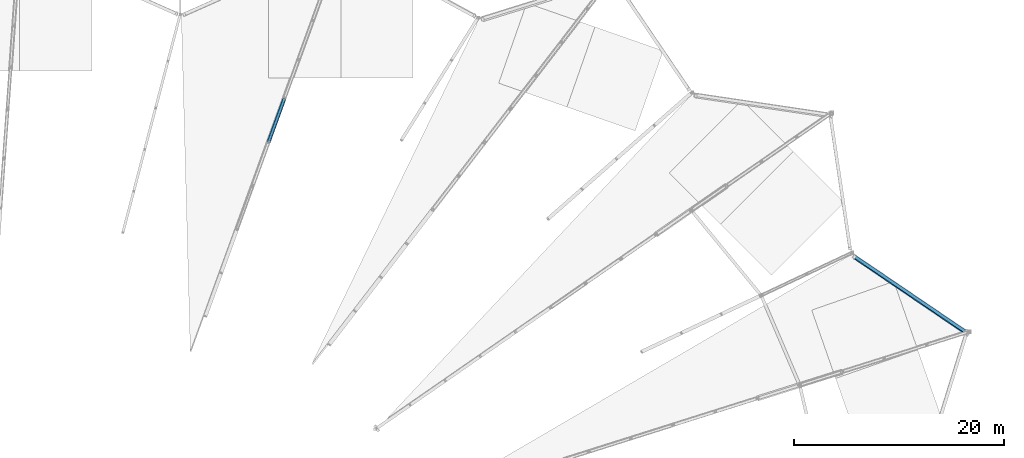
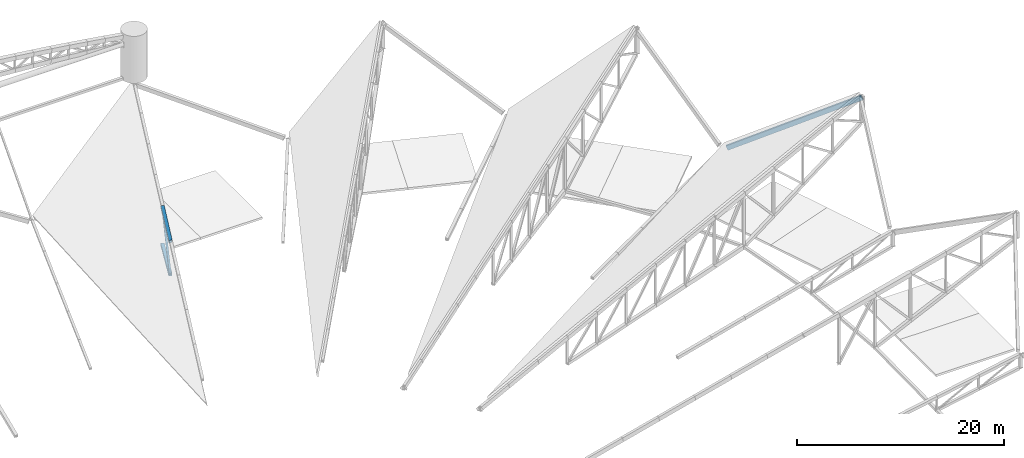
# One storey, part 105 of 188: 3 members, 1 beam.
"""IFC4 building model written with IfcOpenShell, lengths in metres."""

from ifc_helpers import new_model, si_unit, direction, frame, origin, origin_2d, place, context, subcontext, project, spatial, hollow_rectangle, extrude, material, material_profile, profile_set, type_object, element, save


model = new_model("IFC4")

# Units and contexts
model_context = context("Model", 3, precision=1e-05, world=origin(), true_north=direction((0.0, 1.0)))
body_context = subcontext(model_context, "Body", "Model", "MODEL_VIEW")
ifc_project = project(units=[si_unit("LENGTHUNIT", "METRE"), si_unit("AREAUNIT", "SQUARE_METRE"), si_unit("VOLUMEUNIT", "CUBIC_METRE"), si_unit("PLANEANGLEUNIT", "RADIAN"), si_unit("MASSUNIT", "GRAM", prefix="KILO")], contexts=[model_context])

# Site, building, storey
site_placement = place(None, origin())
site = spatial("IfcSite", under=ifc_project, at=site_placement, CompositionType="ELEMENT")
building_placement = place(site_placement, origin())
building = spatial("IfcBuilding", under=site, at=building_placement, Name="Meseta Stadium", CompositionType="ELEMENT")
storey_placement = place(building_placement, frame((0.0, 0.0, 30.0)))
storey = spatial("IfcBuildingStorey", under=building, at=storey_placement, Name="ROOF", CompositionType="ELEMENT", Elevation=30.0)

# Beam
ifc_material_1 = material(Name="Steel S355", Category="steel")
ifc_material_profile_1 = material_profile(ifc_material_1, hollow_rectangle(XDim=0.300048828125, YDim=0.5, WallThickness=0.01611328125, at=origin_2d()), Name="RHS 500x300x16")
ifc_profile_set_1 = profile_set([ifc_material_profile_1], Name="Steel S355")
beam_type = type_object("IfcBeamType", Name="RHS 500x300x16 rim ring beam", PredefinedType="BEAM", material=ifc_profile_set_1)
beam_placement = place(storey_placement, frame((98.17724609375, 68.081298828125, 10.43603515625), z_axis=(-0.738609490931, 0.501186223842, -0.450852957113), x_axis=(-0.617540271996, -0.771249126332, 0.154333397536)))
element("IfcBeam", 1, at=beam_placement, inside=storey, type_object=beam_type, Name="RIM RING BEAM 11", PredefinedType="BEAM", context=body_context, shape_type="SweptSolid", body=[
    extrude(hollow_rectangle(XDim=0.300048828125, YDim=0.5, WallThickness=0.01611328125, at=origin_2d()), origin(), (0.0, 0.0, 1.0), 14.672607421875),
])

# Members
ifc_material_2 = material(Name="Steel S355", Category="steel")
ifc_material_profile_2 = material_profile(ifc_material_2, hollow_rectangle(XDim=0.199951171875, YDim=0.199951171875, WallThickness=0.008056640625, at=origin_2d()), Name="SHS 200x200x8")
ifc_profile_set_2 = profile_set([ifc_material_profile_2], Name="Steel S355")
member_type_1 = type_object("IfcMemberType", Name="SHS 200x200x8 diagonal", PredefinedType="BRACE", material=ifc_profile_set_2)
member_1_placement = place(storey_placement, frame((31.433349609375, 86.388671875, 1.734619140625), z_axis=(0.227102632408, 0.625706654803, 0.746267764605), x_axis=(-0.939999305221, 0.341176356426, 0.0)))
element("IfcMember", 2, at=member_1_placement, inside=storey, type_object=member_type_1, Name="ROOF TRUSS RT-16 diagonal", PredefinedType="BRACE", context=body_context, shape_type="SweptSolid", body=[
    extrude(hollow_rectangle(XDim=0.199951171875, YDim=0.199951171875, WallThickness=0.008056640625, at=origin_2d()), origin(), (0.0, 0.0, 1.0), 6.65234375),
])
ifc_material_3 = material(Name="Steel S355", Category="steel")
ifc_material_profile_3 = material_profile(ifc_material_3, hollow_rectangle(XDim=0.35009765625, YDim=0.35009765625, WallThickness=0.01416015625, at=origin_2d()), Name="SHS 350x350x14.2")
ifc_profile_set_3 = profile_set([ifc_material_profile_3], Name="Steel S355")
member_type_2 = type_object("IfcMemberType", Name="SHS 350x350x14.2 bottom chord", PredefinedType="CHORD", material=ifc_profile_set_3)
member_2_placement = place(storey_placement, frame((31.433349609375, 86.388671875, 1.734619140625), z_axis=(0.338700537674, 0.933178000454, 0.120252921989), x_axis=(-0.939999305221, 0.341176356426, 0.0)))
element("IfcMember", 3, at=member_2_placement, inside=storey, type_object=member_type_2, Name="ROOF TRUSS RT-16 bottom chord", PredefinedType="CHORD", context=body_context, shape_type="SweptSolid", body=[
    extrude(hollow_rectangle(XDim=0.35009765625, YDim=0.35009765625, WallThickness=0.01416015625, at=origin_2d()), origin(), (0.0, 0.0, 1.0), 4.46044921875),
])
ifc_material_4 = material(Name="Steel S355", Category="steel")
ifc_material_profile_4 = material_profile(ifc_material_4, hollow_rectangle(XDim=0.35009765625, YDim=0.35009765625, WallThickness=0.01416015625, at=origin_2d()), Name="SHS 350x350x14.2")
ifc_profile_set_4 = profile_set([ifc_material_profile_4], Name="Steel S355")
member_type_3 = type_object("IfcMemberType", Name="SHS 350x350x14.2 top chord", PredefinedType="CHORD", material=ifc_profile_set_4)
member_3_placement = place(storey_placement, frame((31.433349609375, 86.388671875, 5.657958984375), z_axis=(0.332121563749, 0.915051800317, 0.228856875861), x_axis=(-0.939999305221, 0.341176356426, 0.0)))
element("IfcMember", 4, at=member_3_placement, inside=storey, type_object=member_type_3, Name="ROOF TRUSS RT-16 top chord", PredefinedType="CHORD", context=body_context, shape_type="SweptSolid", body=[
    extrude(hollow_rectangle(XDim=0.35009765625, YDim=0.35009765625, WallThickness=0.01416015625, at=origin_2d()), origin(), (0.0, 0.0, 1.0), 4.548828125),
])

save(model, "model.ifc")
